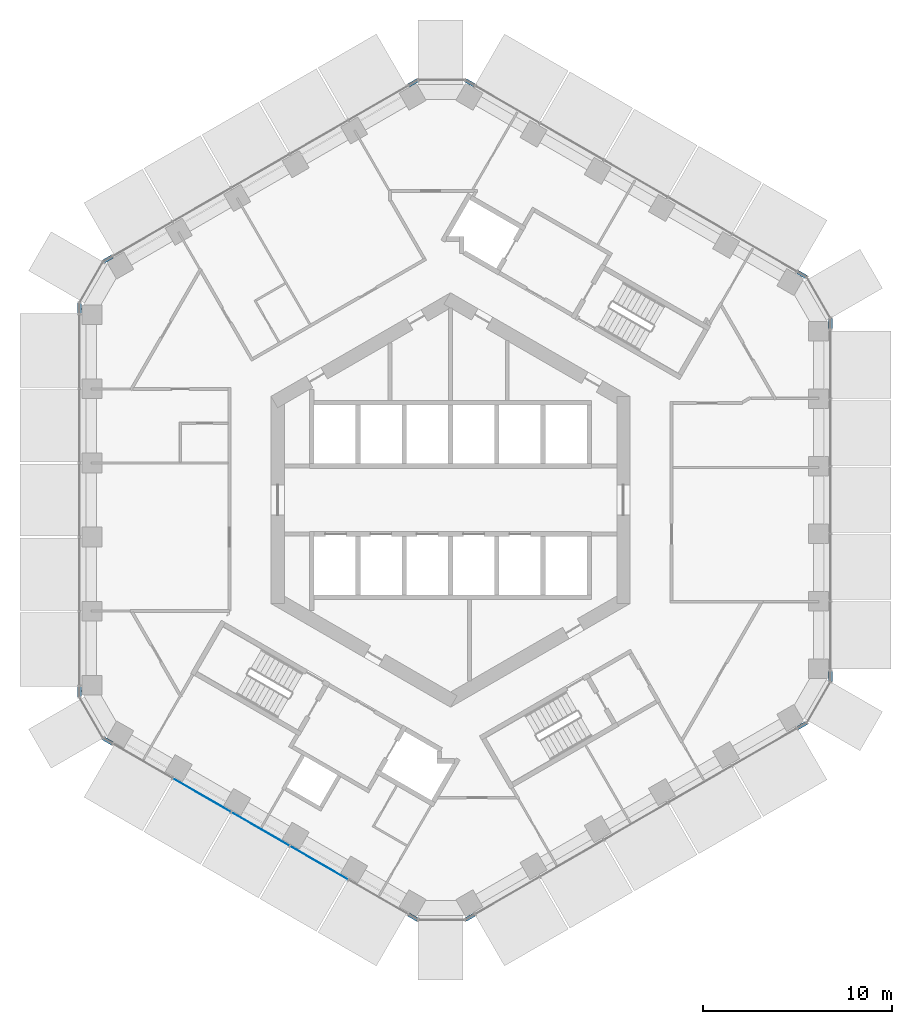
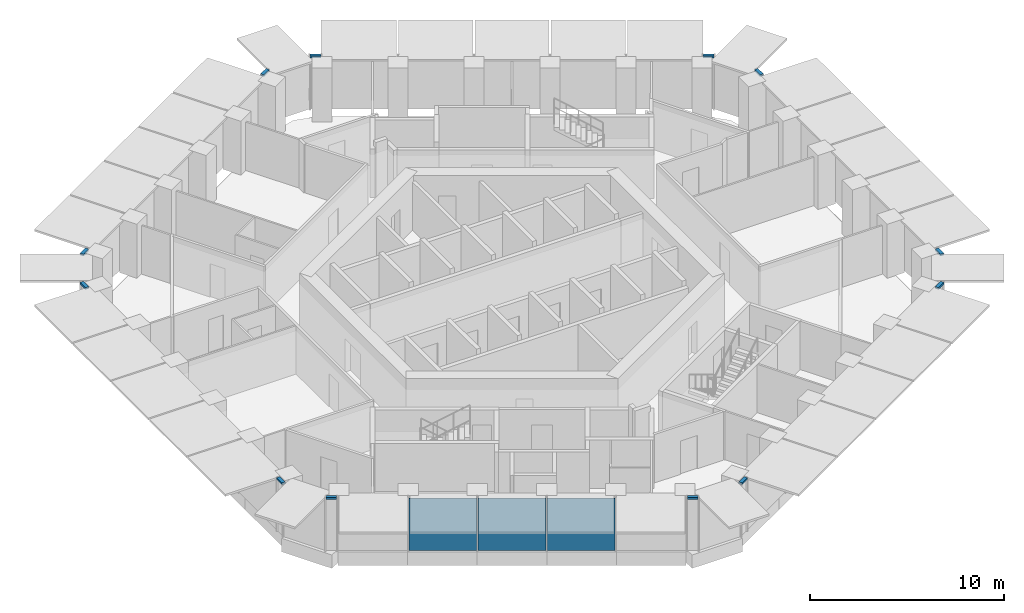
# One storey, part 7 of 18: 12 members, 3 plates, 7 elements without a shape of their own.
"""IFC4 building model written with IfcOpenShell, lengths in metres."""

from ifc_helpers import new_model, si_unit, direction, frame, origin, origin_2d, place, context, subcontext, project, spatial, rectangle, extrude, material, layer, layer_set, material_profile, profile_set, type_object, element, aggregate, save


model = new_model("IFC4")

# Units and contexts
model_context = context("Model", 3, precision=1e-05, world=origin(), true_north=direction((0.0, 1.0)))
body_context = subcontext(model_context, "Body", "Model", "MODEL_VIEW")
ifc_project = project(units=[si_unit("LENGTHUNIT", "METRE"), si_unit("AREAUNIT", "SQUARE_METRE"), si_unit("VOLUMEUNIT", "CUBIC_METRE"), si_unit("PLANEANGLEUNIT", "RADIAN"), si_unit("MASSUNIT", "GRAM", prefix="KILO")], contexts=[model_context])

# Site, building, storey
site_placement = place(None, origin())
site = spatial("IfcSite", under=ifc_project, at=site_placement, CompositionType="ELEMENT")
building_placement = place(site_placement, origin())
building = spatial("IfcBuilding", under=site, at=building_placement, Name="Ayvan Gate Tower", CompositionType="ELEMENT")
storey_placement = place(building_placement, frame((0.0, 0.0, 110.300048828125)))
storey = spatial("IfcBuildingStorey", under=building, at=storey_placement, Name="L29", CompositionType="ELEMENT", Elevation=110.300048828125)

# Curtain wall, members
ifc_material_1 = material(Name="Bronze anodised aluminium", Category="aluminium")
ifc_layer_1 = layer(ifc_material_1, 0.199951171875)
ifc_layer_set_1 = layer_set([ifc_layer_1], Name="Bronze anodised aluminium")
curtain_wall_type_1 = type_object("IfcCurtainWallType", Name="Stick curtain wall CW-6", PredefinedType="NOTDEFINED", material=ifc_layer_set_1)
curtain_wall_1_placement = place(storey_placement, origin())
curtain_wall_1 = element("IfcCurtainWall", 1, at=curtain_wall_1_placement, inside=storey, type_object=curtain_wall_type_1, Name="Stick curtain wall CW-6 L29", PredefinedType="NOTDEFINED")
ifc_material_profile = material_profile(ifc_material_1, rectangle(XDim=0.199951171875, YDim=0.1201171875, at=origin_2d()), Name="Stick curtain wall CW-6 transom 200 x 120")
ifc_profile_set = profile_set([ifc_material_profile], Name="Bronze anodised aluminium")
member_type = type_object("IfcMemberType", Name="Stick curtain wall CW-6 transom 200 x 120", PredefinedType="USERDEFINED", material=ifc_profile_set)
member_1_placement = place(storey_placement, frame((-17.89453125, 12.890380859375, 3.33984375), z_axis=(-0.865912065108, -0.500196256984, 0.0), x_axis=(0.500196256984, -0.865912065108, 0.0)))
member_1 = element("IfcMember", 2, at=member_1_placement, type_object=member_type, Name="CW-6 transom 1", ObjectType="TRANSOM", PredefinedType="USERDEFINED", context=body_context, shape_type="SweptSolid", body=[
    extrude(rectangle(XDim=0.199951171875, YDim=0.1201171875, at=origin_2d()), origin(), (0.0, 0.0, 1.0), 0.550048828125),
])
member_2_placement = place(storey_placement, frame((-19.6357421875, 10.42431640625, 3.33984375), z_axis=(0.0, -1.0, 0.0), x_axis=(1.0, 0.0, 0.0)))
member_2 = element("IfcMember", 3, at=member_2_placement, type_object=member_type, Name="CW-6 transom 2", ObjectType="TRANSOM", PredefinedType="USERDEFINED", context=body_context, shape_type="SweptSolid", body=[
    extrude(rectangle(XDim=0.199951171875, YDim=0.1201171875, at=origin_2d()), origin(), (0.0, 0.0, 1.0), 0.550048828125),
])
aggregate(curtain_wall_1, [member_1, member_2])

curtain_wall_2_placement = place(storey_placement, origin())
curtain_wall_2 = element("IfcCurtainWall", 4, at=curtain_wall_2_placement, inside=storey, type_object=curtain_wall_type_1, Name="Stick curtain wall CW-6 L29", PredefinedType="NOTDEFINED")
member_3_placement = place(storey_placement, frame((-19.6357421875, -9.874267578125, 3.33984375), z_axis=(0.0, -1.0, 0.0), x_axis=(1.0, 0.0, 0.0)))
member_3 = element("IfcMember", 5, at=member_3_placement, type_object=member_type, Name="CW-6 transom 1", ObjectType="TRANSOM", PredefinedType="USERDEFINED", context=body_context, shape_type="SweptSolid", body=[
    extrude(rectangle(XDim=0.199951171875, YDim=0.1201171875, at=origin_2d()), origin(), (0.0, 0.0, 1.0), 0.550048828125),
])
member_4_placement = place(storey_placement, frame((-18.370849609375, -12.615234375, 3.33984375), z_axis=(0.865912065108, -0.500196256984, 0.0), x_axis=(0.500196256984, 0.865912065108, 0.0)))
member_4 = element("IfcMember", 6, at=member_4_placement, type_object=member_type, Name="CW-6 transom 2", ObjectType="TRANSOM", PredefinedType="USERDEFINED", context=body_context, shape_type="SweptSolid", body=[
    extrude(rectangle(XDim=0.199951171875, YDim=0.1201171875, at=origin_2d()), origin(), (0.0, 0.0, 1.0), 0.550048828125),
])
aggregate(curtain_wall_2, [member_3, member_4])

curtain_wall_3_placement = place(storey_placement, origin())
curtain_wall_3 = element("IfcCurtainWall", 7, at=curtain_wall_3_placement, inside=storey, type_object=curtain_wall_type_1, Name="Stick curtain wall CW-6 L29", PredefinedType="NOTDEFINED")
member_5_placement = place(storey_placement, frame((-2.216064453125, -21.9423828125, 3.33984375), z_axis=(0.866104278045, -0.499863360881, 0.0), x_axis=(0.499863360881, 0.866104278045, 0.0)))
member_5 = element("IfcMember", 8, at=member_5_placement, type_object=member_type, Name="CW-6 transom 1", ObjectType="TRANSOM", PredefinedType="USERDEFINED", context=body_context, shape_type="SweptSolid", body=[
    extrude(rectangle(XDim=0.199951171875, YDim=0.1201171875, at=origin_2d()), origin(), (0.0, 0.0, 1.0), 0.550048828125),
])
member_6_placement = place(storey_placement, frame((0.7900390625, -22.21728515625, 3.33984375), z_axis=(0.866104278045, 0.499863360881, 0.0), x_axis=(-0.499863360881, 0.866104278045, 0.0)))
member_6 = element("IfcMember", 9, at=member_6_placement, type_object=member_type, Name="CW-6 transom 2", ObjectType="TRANSOM", PredefinedType="USERDEFINED", context=body_context, shape_type="SweptSolid", body=[
    extrude(rectangle(XDim=0.199951171875, YDim=0.1201171875, at=origin_2d()), origin(), (0.0, 0.0, 1.0), 0.550048828125),
])
aggregate(curtain_wall_3, [member_5, member_6])

curtain_wall_4_placement = place(storey_placement, origin())
curtain_wall_4 = element("IfcCurtainWall", 10, at=curtain_wall_4_placement, inside=storey, type_object=curtain_wall_type_1, Name="Stick curtain wall CW-6 L29", PredefinedType="NOTDEFINED")
member_7_placement = place(storey_placement, frame((18.369384765625, -12.06787109375, 3.33984375), z_axis=(0.866104278045, 0.499863360881, 0.0), x_axis=(-0.499863360881, 0.866104278045, 0.0)))
member_7 = element("IfcMember", 11, at=member_7_placement, type_object=member_type, Name="CW-6 transom 1", ObjectType="TRANSOM", PredefinedType="USERDEFINED", context=body_context, shape_type="SweptSolid", body=[
    extrude(rectangle(XDim=0.199951171875, YDim=0.1201171875, at=origin_2d()), origin(), (0.0, 0.0, 1.0), 0.550048828125),
])
member_8_placement = place(storey_placement, frame((20.110595703125, -9.60205078125, 3.33984375), z_axis=(0.0, 1.0, 0.0), x_axis=(-1.0, 0.0, 0.0)))
member_8 = element("IfcMember", 12, at=member_8_placement, type_object=member_type, Name="CW-6 transom 2", ObjectType="TRANSOM", PredefinedType="USERDEFINED", context=body_context, shape_type="SweptSolid", body=[
    extrude(rectangle(XDim=0.199951171875, YDim=0.1201171875, at=origin_2d()), origin(), (0.0, 0.0, 1.0), 0.550048828125),
])
aggregate(curtain_wall_4, [member_7, member_8])

curtain_wall_5_placement = place(storey_placement, origin())
curtain_wall_5 = element("IfcCurtainWall", 13, at=curtain_wall_5_placement, inside=storey, type_object=curtain_wall_type_1, Name="Stick curtain wall CW-6 L29", PredefinedType="NOTDEFINED")
member_9_placement = place(storey_placement, frame((20.110595703125, 9.052001953125, 3.33984375), z_axis=(0.0, 1.0, 0.0), x_axis=(-1.0, 0.0, 0.0)))
member_9 = element("IfcMember", 14, at=member_9_placement, type_object=member_type, Name="CW-6 transom 1", ObjectType="TRANSOM", PredefinedType="USERDEFINED", context=body_context, shape_type="SweptSolid", body=[
    extrude(rectangle(XDim=0.199951171875, YDim=0.1201171875, at=origin_2d()), origin(), (0.0, 0.0, 1.0), 0.550048828125),
])
member_10_placement = place(storey_placement, frame((18.845703125, 11.79296875, 3.33984375), z_axis=(-0.866104278045, 0.499863360881, 0.0), x_axis=(-0.499863360881, -0.866104278045, 0.0)))
member_10 = element("IfcMember", 15, at=member_10_placement, type_object=member_type, Name="CW-6 transom 2", ObjectType="TRANSOM", PredefinedType="USERDEFINED", context=body_context, shape_type="SweptSolid", body=[
    extrude(rectangle(XDim=0.199951171875, YDim=0.1201171875, at=origin_2d()), origin(), (0.0, 0.0, 1.0), 0.550048828125),
])
aggregate(curtain_wall_5, [member_9, member_10])

curtain_wall_6_placement = place(storey_placement, origin())
curtain_wall_6 = element("IfcCurtainWall", 16, at=curtain_wall_6_placement, inside=storey, type_object=curtain_wall_type_1, Name="Stick curtain wall CW-6 L29", PredefinedType="NOTDEFINED")
member_11_placement = place(storey_placement, frame((1.266357421875, 21.9423828125, 3.33984375), z_axis=(-0.866104278045, 0.499863360881, 0.0), x_axis=(-0.499863360881, -0.866104278045, 0.0)))
member_11 = element("IfcMember", 17, at=member_11_placement, type_object=member_type, Name="CW-6 transom 1", ObjectType="TRANSOM", PredefinedType="USERDEFINED", context=body_context, shape_type="SweptSolid", body=[
    extrude(rectangle(XDim=0.199951171875, YDim=0.1201171875, at=origin_2d()), origin(), (0.0, 0.0, 1.0), 0.550048828125),
])
member_12_placement = place(storey_placement, frame((-1.73974609375, 22.21728515625, 3.33984375), z_axis=(-0.866104278045, -0.499863360881, 0.0), x_axis=(0.499863360881, -0.866104278045, 0.0)))
member_12 = element("IfcMember", 18, at=member_12_placement, type_object=member_type, Name="CW-6 transom 2", ObjectType="TRANSOM", PredefinedType="USERDEFINED", context=body_context, shape_type="SweptSolid", body=[
    extrude(rectangle(XDim=0.199951171875, YDim=0.1201171875, at=origin_2d()), origin(), (0.0, 0.0, 1.0), 0.550048828125),
])
aggregate(curtain_wall_6, [member_11, member_12])

# Curtain wall, plates
ifc_layer_2 = layer(ifc_material_1, 0.199951171875)
ifc_layer_set_2 = layer_set([ifc_layer_2], Name="Bronze anodised aluminium")
curtain_wall_type_2 = type_object("IfcCurtainWallType", Name="Stick curtain wall CW-1", PredefinedType="NOTDEFINED", material=ifc_layer_set_2)
curtain_wall_7_placement = place(storey_placement, origin())
curtain_wall_7 = element("IfcCurtainWall", 19, at=curtain_wall_7_placement, inside=storey, type_object=curtain_wall_type_2, Name="Stick curtain wall CW-1 L29", PredefinedType="NOTDEFINED")
ifc_material_2 = material(Name="Clear low-iron laminated glass", Category="glass")
ifc_layer_3 = layer(ifc_material_2, 0.028076171875)
ifc_layer_set_3 = layer_set([ifc_layer_3], Name="Clear low-iron laminated glass")
plate_type = type_object("IfcPlateType", Name="Stick curtain wall CW-1 glass panel", PredefinedType="CURTAIN_PANEL", material=ifc_layer_set_3)
plate_1_placement = place(storey_placement, frame((-13.150390625, -15.629150390625, 0.0), z_axis=(0.0, 0.0, 1.0), x_axis=(0.866025403784, -0.5, 0.0)))
plate_1 = element("IfcPlate", 20, at=plate_1_placement, type_object=plate_type, Name="CW-1 glass panel 2", PredefinedType="CURTAIN_PANEL", context=body_context, shape_type="SweptSolid", body=[
    extrude(rectangle(XDim=3.513916015625, YDim=0.028076171875, at=origin_2d()), origin(), (0.0, 0.0, 1.0), 3.280029296875),
])
plate_2_placement = place(storey_placement, frame((-10.05517578125, -17.416259765625, 0.0), z_axis=(0.0, 0.0, 1.0), x_axis=(0.866025403784, -0.5, 0.0)))
plate_2 = element("IfcPlate", 21, at=plate_2_placement, type_object=plate_type, Name="CW-1 glass panel 3", PredefinedType="CURTAIN_PANEL", context=body_context, shape_type="SweptSolid", body=[
    extrude(rectangle(XDim=3.513916015625, YDim=0.028076171875, at=origin_2d()), origin(), (0.0, 0.0, 1.0), 3.280029296875),
])
plate_3_placement = place(storey_placement, frame((-6.960205078125, -19.203369140625, 0.0), z_axis=(0.0, 0.0, 1.0), x_axis=(0.866025403784, -0.5, 0.0)))
plate_3 = element("IfcPlate", 22, at=plate_3_placement, type_object=plate_type, Name="CW-1 glass panel 4", PredefinedType="CURTAIN_PANEL", context=body_context, shape_type="SweptSolid", body=[
    extrude(rectangle(XDim=3.513916015625, YDim=0.028076171875, at=origin_2d()), origin(), (0.0, 0.0, 1.0), 3.280029296875),
])
aggregate(curtain_wall_7, [plate_1, plate_2, plate_3])

save(model, "model.ifc")
